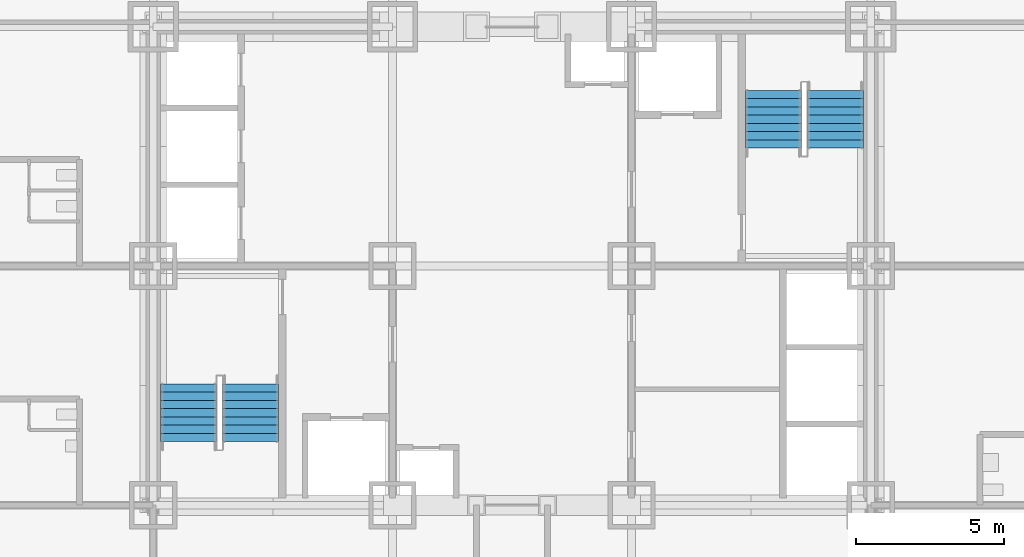
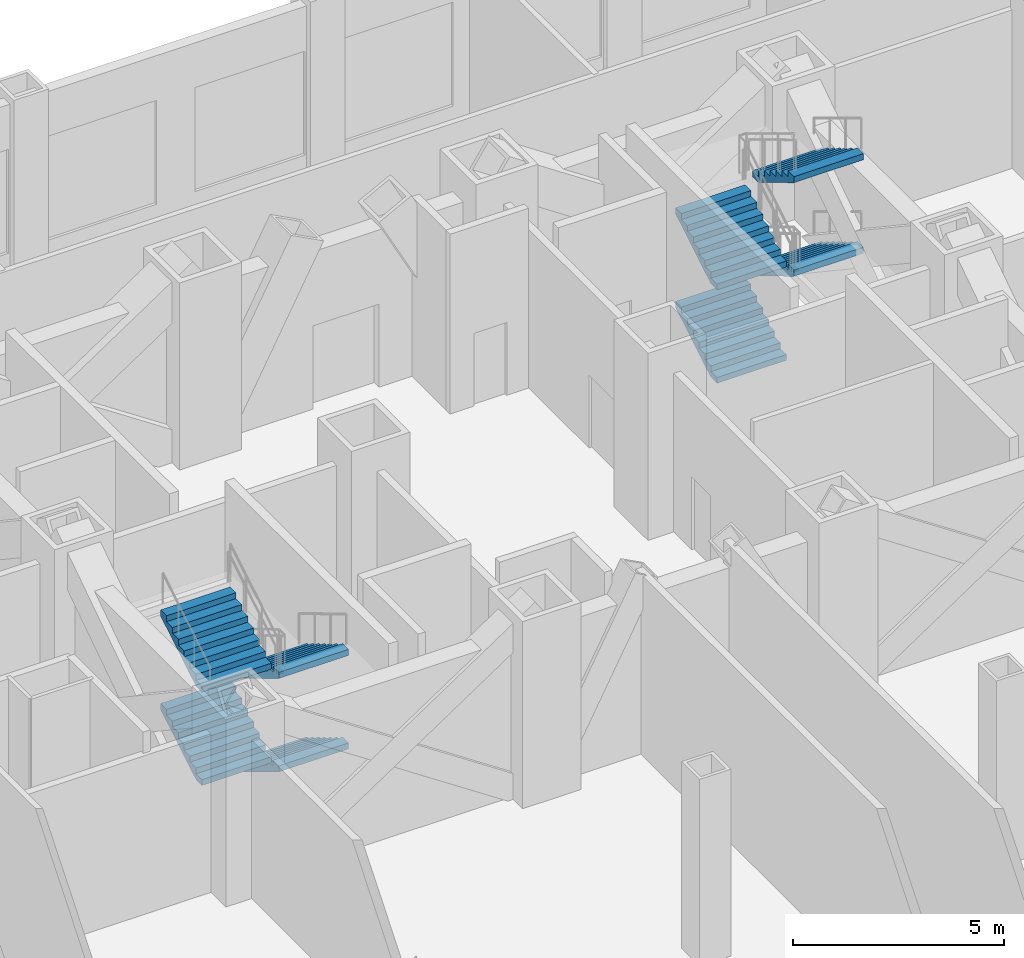
# One storey, part 8 of 10: 8 stair flights, 2 elements without a shape of their own.
"""IFC4 building model written with IfcOpenShell, lengths in metres."""

from ifc_helpers import new_model, si_unit, direction, frame, origin, place, context, subcontext, project, spatial, polygons, source, transform, mapped, material, type_object, element, aggregate, save


model = new_model("IFC4")

# Units and contexts
model_context = context("Model", 3, precision=1e-05, world=origin(), true_north=direction((0.0, 1.0)))
body_context = subcontext(model_context, "Body", "Model", "MODEL_VIEW")
ifc_project = project(units=[si_unit("LENGTHUNIT", "METRE"), si_unit("AREAUNIT", "SQUARE_METRE"), si_unit("VOLUMEUNIT", "CUBIC_METRE"), si_unit("PLANEANGLEUNIT", "RADIAN"), si_unit("MASSUNIT", "GRAM", prefix="KILO")], contexts=[model_context])

# Site, building, storey
site_placement = place(None, origin())
site = spatial("IfcSite", under=ifc_project, at=site_placement, CompositionType="ELEMENT")
building_placement = place(site_placement, origin())
building = spatial("IfcBuilding", under=site, at=building_placement, Name="Kopane Lantern Tower", CompositionType="ELEMENT")
storey_placement = place(building_placement, frame((0.0, 0.0, 27.60009765625)))
storey = spatial("IfcBuildingStorey", under=building, at=storey_placement, Name="L05", CompositionType="ELEMENT", Elevation=27.60009765625)

# Stair, stair flights
ifc_material_1 = material(Name="Steel S355JR", Category="steel")
stair_type = type_object("IfcStairType", Name="EXIT STAIR 1900 HALF TURN", PredefinedType="HALF_TURN_STAIR", material=ifc_material_1)
stair_1_placement = place(storey_placement, origin())
stair_1 = element("IfcStair", 1, at=stair_1_placement, inside=storey, type_object=stair_type, Name="Exit stair ST1 L05", PredefinedType="HALF_TURN_STAIR")
ifc_material_2 = material(Name="Steel S355JR", Category="steel")
stair_flight_type = type_object("IfcStairFlightType", Name="STAIR FLIGHT 1900 STEEL", PredefinedType="STRAIGHT", material=ifc_material_2)
shared_shape = source(origin(), body_context, "Body", "Tessellation", [
    polygons([(1.959960938, 0.949951172, 1.181152344), (1.679931641, 0.949951172, 1.181152344), (1.679931641, -0.949951172, 1.181152344), (1.959960938, -0.949951172, 1.181152344), (0.290527344, 0.949951172, 0.0), (1.959960938, 0.949951172, 1.006347656), (1.959960938, -0.949951172, 1.006347656), (0.290527344, -0.949951172, 0.0), (0.0, 0.949951172, 0.0), (0.0, -0.949951172, 0.0), (0.280029297, 0.949951172, 0.168701172), (0.0, 0.949951172, 0.168701172), (0.0, -0.949951172, 0.168701172), (0.280029297, -0.949951172, 0.168701172), (0.280029297, 0.949951172, 0.337402344), (0.280029297, -0.949951172, 0.337402344), (0.560058594, 0.949951172, 0.337402344), (0.560058594, -0.949951172, 0.337402344), (0.560058594, 0.949951172, 0.506347656), (0.560058594, -0.949951172, 0.506347656), (0.840087891, 0.949951172, 0.506347656), (0.840087891, -0.949951172, 0.506347656), (0.840087891, 0.949951172, 0.675048828), (0.840087891, -0.949951172, 0.675048828), (1.120117188, 0.949951172, 0.675048828), (1.120117188, -0.949951172, 0.675048828), (1.120117188, 0.949951172, 0.84375), (1.120117188, -0.949951172, 0.84375), (1.399902344, 0.949951172, 0.84375), (1.399902344, -0.949951172, 0.84375), (1.399902344, 0.949951172, 1.012451172), (1.399902344, -0.949951172, 1.012451172), (1.679931641, 0.949951172, 1.012451172), (1.679931641, -0.949951172, 1.012451172), (0.0, 0.0, 0.004559491), (0.0, 0.0, 0.009118982), (0.0, 0.0, 0.013678473), (0.0, 0.0, 0.018237965), (0.0, 0.0, 0.022797456), (0.0, 0.0, 0.027356947), (0.0, 0.0, 0.031916438), (0.0, 0.0, 0.036475929), (0.0, 0.0, 0.04103542), (0.0, 0.0, 0.045594911), (0.0, 0.0, 0.050154402), (0.0, 0.0, 0.054713894), (0.0, 0.0, 0.059273385), (0.0, 0.0, 0.063832876), (0.0, 0.0, 0.068392367), (0.0, 0.0, 0.072951858), (0.0, 0.0, 0.077511349), (0.0, 0.0, 0.08207084), (0.0, 0.0, 0.086630332), (0.0, 0.0, 0.091189823), (0.0, 0.0, 0.095749314), (0.0, 0.0, 0.100308805), (0.0, 0.0, 0.104868296), (0.0, 0.0, 0.109427787), (0.0, 0.0, 0.113987278), (0.0, 0.0, 0.118546769), (0.0, 0.0, 0.123106261), (0.0, 0.0, 0.127665752), (0.0, 0.0, 0.132225243), (0.0, 0.0, 0.136784734), (0.0, 0.0, 0.141344225), (0.0, 0.0, 0.145903716), (0.0, 0.0, 0.150463207), (0.0, 0.0, 0.155022698), (0.0, 0.0, 0.15958219), (0.0, 0.0, 0.164141681), (1.959960938, 0.0, 1.011072107), (1.959960938, 0.0, 1.015796558), (1.959960938, 0.0, 1.020521009), (1.959960938, 0.0, 1.02524546), (1.959960938, 0.0, 1.029969911), (1.959960938, 0.0, 1.034694362), (1.959960938, 0.0, 1.039418813), (1.959960938, 0.0, 1.044143264), (1.959960938, 0.0, 1.048867715), (1.959960938, 0.0, 1.053592166), (1.959960938, 0.0, 1.058316617), (1.959960938, 0.0, 1.063041068), (1.959960938, 0.0, 1.067765519), (1.959960938, 0.0, 1.07248997), (1.959960938, 0.0, 1.077214421), (1.959960938, 0.0, 1.081938872), (1.959960938, 0.0, 1.086663323), (1.959960938, 0.0, 1.091387774), (1.959960938, 0.0, 1.096112226), (1.959960938, 0.0, 1.100836677), (1.959960938, 0.0, 1.105561128), (1.959960938, 0.0, 1.110285579), (1.959960938, 0.0, 1.11501003), (1.959960938, 0.0, 1.119734481), (1.959960938, 0.0, 1.124458932), (1.959960938, 0.0, 1.129183383), (1.959960938, 0.0, 1.133907834), (1.959960938, 0.0, 1.138632285), (1.959960938, 0.0, 1.143356736), (1.959960938, 0.0, 1.148081187), (1.959960938, 0.0, 1.152805638), (1.959960938, 0.0, 1.157530089), (1.959960938, 0.0, 1.16225454), (1.959960938, 0.0, 1.166978991), (1.959960938, 0.0, 1.171703442), (1.959960938, 0.0, 1.176427893)], [[[1, 2, 3]], [[1, 3, 4]], [[5, 6, 7]], [[5, 7, 8]], [[9, 5, 8]], [[9, 8, 10]], [[11, 12, 13]], [[11, 13, 14]], [[15, 11, 14]], [[15, 14, 16]], [[17, 15, 16]], [[17, 16, 18]], [[19, 17, 18]], [[19, 18, 20]], [[21, 19, 20]], [[21, 20, 22]], [[23, 21, 22]], [[23, 22, 24]], [[25, 23, 24]], [[25, 24, 26]], [[27, 25, 26]], [[27, 26, 28]], [[29, 27, 28]], [[29, 28, 30]], [[31, 29, 30]], [[31, 30, 32]], [[33, 31, 32]], [[33, 32, 34]], [[2, 33, 34]], [[2, 34, 3]], [[33, 1, 6]], [[29, 33, 6]], [[2, 1, 33]], [[25, 29, 6]], [[31, 33, 29]], [[5, 21, 25]], [[27, 29, 25]], [[17, 21, 5]], [[23, 25, 21]], [[11, 17, 5]], [[19, 21, 17]], [[9, 11, 5]], [[15, 17, 11]], [[12, 11, 9]], [[6, 5, 25]], [[7, 4, 34]], [[7, 34, 30]], [[34, 4, 3]], [[7, 30, 26]], [[30, 34, 32]], [[26, 22, 8]], [[26, 30, 28]], [[8, 22, 18]], [[22, 26, 24]], [[8, 18, 14]], [[18, 22, 20]], [[8, 14, 10]], [[14, 18, 16]], [[10, 14, 13]], [[26, 8, 7]], [[10, 35, 9]], [[10, 36, 35]], [[9, 35, 36]], [[10, 37, 36]], [[9, 36, 37]], [[10, 38, 37]], [[9, 37, 38]], [[10, 39, 38]], [[9, 38, 39]], [[10, 40, 39]], [[9, 39, 40]], [[10, 41, 40]], [[9, 40, 41]], [[10, 42, 41]], [[9, 41, 42]], [[10, 43, 42]], [[9, 42, 43]], [[10, 44, 43]], [[9, 43, 44]], [[10, 45, 44]], [[9, 44, 45]], [[10, 46, 45]], [[9, 45, 46]], [[10, 47, 46]], [[9, 46, 47]], [[10, 48, 47]], [[9, 47, 48]], [[10, 49, 48]], [[9, 48, 49]], [[10, 50, 49]], [[9, 49, 50]], [[10, 51, 50]], [[9, 50, 51]], [[10, 52, 51]], [[9, 51, 52]], [[10, 53, 52]], [[9, 52, 53]], [[10, 54, 53]], [[9, 53, 54]], [[10, 55, 54]], [[9, 54, 55]], [[10, 56, 55]], [[9, 55, 56]], [[10, 57, 56]], [[9, 56, 57]], [[10, 58, 57]], [[9, 57, 58]], [[10, 59, 58]], [[9, 58, 59]], [[10, 60, 59]], [[9, 59, 60]], [[10, 61, 60]], [[9, 60, 61]], [[10, 62, 61]], [[9, 61, 62]], [[10, 63, 62]], [[9, 62, 63]], [[10, 64, 63]], [[9, 63, 64]], [[10, 65, 64]], [[9, 64, 65]], [[10, 66, 65]], [[9, 65, 66]], [[10, 67, 66]], [[9, 66, 67]], [[10, 68, 67]], [[9, 67, 68]], [[10, 69, 68]], [[9, 68, 69]], [[10, 70, 69]], [[9, 69, 70]], [[10, 13, 70]], [[70, 13, 12]], [[9, 70, 12]], [[7, 6, 71]], [[7, 71, 72]], [[6, 72, 71]], [[7, 72, 73]], [[6, 73, 72]], [[7, 73, 74]], [[6, 74, 73]], [[7, 74, 75]], [[6, 75, 74]], [[7, 75, 76]], [[6, 76, 75]], [[7, 76, 77]], [[6, 77, 76]], [[7, 77, 78]], [[6, 78, 77]], [[7, 78, 79]], [[6, 79, 78]], [[7, 79, 80]], [[6, 80, 79]], [[7, 80, 81]], [[6, 81, 80]], [[7, 81, 82]], [[6, 82, 81]], [[7, 82, 83]], [[6, 83, 82]], [[7, 83, 84]], [[6, 84, 83]], [[7, 84, 85]], [[6, 85, 84]], [[7, 85, 86]], [[6, 86, 85]], [[7, 86, 87]], [[6, 87, 86]], [[7, 87, 88]], [[6, 88, 87]], [[7, 88, 89]], [[6, 89, 88]], [[7, 89, 90]], [[6, 90, 89]], [[7, 90, 91]], [[6, 91, 90]], [[7, 91, 92]], [[6, 92, 91]], [[7, 92, 93]], [[6, 93, 92]], [[7, 93, 94]], [[6, 94, 93]], [[7, 94, 95]], [[6, 95, 94]], [[7, 95, 96]], [[6, 96, 95]], [[7, 96, 97]], [[6, 97, 96]], [[7, 97, 98]], [[6, 98, 97]], [[7, 98, 99]], [[6, 99, 98]], [[7, 99, 100]], [[6, 100, 99]], [[7, 100, 101]], [[6, 101, 100]], [[7, 101, 102]], [[6, 102, 101]], [[7, 102, 103]], [[6, 103, 102]], [[7, 103, 104]], [[6, 104, 103]], [[7, 104, 105]], [[6, 105, 104]], [[7, 105, 106]], [[6, 106, 105]], [[7, 106, 4]], [[106, 1, 4]], [[6, 1, 106]]], closed=True),
])
stair_flight_1_placement = place(storey_placement, frame((19.5, 28.409912109375, 0.0), z_axis=(0.0, 0.0, 1.0), x_axis=(0.0, -1.0, 0.0)))
stair_flight_1 = element("IfcStairFlight", 2, at=stair_flight_1_placement, type_object=stair_flight_type, Name="ST1 flight 1", NumberOfRisers=8, NumberOfTreads=7, PredefinedType="STRAIGHT", RiserHeight=0.16875, TreadLength=0.28, context=body_context, shape_type="MappedRepresentation", body=[
    mapped(shared_shape, transform((0.0, 0.0, 0.0))),
])
stair_flight_2_placement = place(storey_placement, frame((17.39990234375, 26.449951171875, 1.349853515625), z_axis=(0.0, 0.0, 1.0), x_axis=(0.0, 1.0, 0.0)))
stair_flight_2 = element("IfcStairFlight", 3, at=stair_flight_2_placement, type_object=stair_flight_type, Name="ST1 flight 2", NumberOfRisers=8, NumberOfTreads=7, PredefinedType="STRAIGHT", RiserHeight=0.16875, TreadLength=0.28, context=body_context, shape_type="MappedRepresentation", body=[
    mapped(shared_shape, transform((0.0, 0.0, 0.0))),
])
stair_flight_3_placement = place(storey_placement, frame((19.5, 28.409912109375, 2.699951171875), z_axis=(0.0, 0.0, 1.0), x_axis=(0.0, -1.0, 0.0)))
stair_flight_3 = element("IfcStairFlight", 4, at=stair_flight_3_placement, type_object=stair_flight_type, Name="ST1 flight 3", NumberOfRisers=8, NumberOfTreads=7, PredefinedType="STRAIGHT", RiserHeight=0.16875, TreadLength=0.28, context=body_context, shape_type="MappedRepresentation", body=[
    mapped(shared_shape, transform((0.0, 0.0, 0.0))),
])
stair_flight_4_placement = place(storey_placement, frame((17.39990234375, 26.449951171875, 4.0498046875), z_axis=(0.0, 0.0, 1.0), x_axis=(0.0, 1.0, 0.0)))
stair_flight_4 = element("IfcStairFlight", 5, at=stair_flight_4_placement, type_object=stair_flight_type, Name="ST1 flight 4", NumberOfRisers=8, NumberOfTreads=7, PredefinedType="STRAIGHT", RiserHeight=0.16875, TreadLength=0.28, context=body_context, shape_type="MappedRepresentation", body=[
    mapped(shared_shape, transform((0.0, 0.0, 0.0))),
])
aggregate(stair_1, [stair_flight_1, stair_flight_2, stair_flight_3, stair_flight_4])

stair_2_placement = place(storey_placement, origin())
stair_2 = element("IfcStair", 6, at=stair_2_placement, inside=storey, type_object=stair_type, Name="Exit stair ST2 L05", PredefinedType="HALF_TURN_STAIR")
stair_flight_5_placement = place(storey_placement, frame((37.199951171875, 36.389892578125, 0.0), z_axis=(0.0, 0.0, 1.0), x_axis=(0.0, 1.0, 0.0)))
stair_flight_5 = element("IfcStairFlight", 7, at=stair_flight_5_placement, type_object=stair_flight_type, Name="ST2 flight 1", NumberOfRisers=8, NumberOfTreads=7, PredefinedType="STRAIGHT", RiserHeight=0.16875, TreadLength=0.28, context=body_context, shape_type="MappedRepresentation", body=[
    mapped(shared_shape, transform((0.0, 0.0, 0.0))),
])
stair_flight_6_placement = place(storey_placement, frame((39.300048828125, 38.35009765625, 1.349853515625), z_axis=(0.0, 0.0, 1.0), x_axis=(0.0, -1.0, 0.0)))
stair_flight_6 = element("IfcStairFlight", 8, at=stair_flight_6_placement, type_object=stair_flight_type, Name="ST2 flight 2", NumberOfRisers=8, NumberOfTreads=7, PredefinedType="STRAIGHT", RiserHeight=0.16875, TreadLength=0.28, context=body_context, shape_type="MappedRepresentation", body=[
    mapped(shared_shape, transform((0.0, 0.0, 0.0))),
])
stair_flight_7_placement = place(storey_placement, frame((37.199951171875, 36.389892578125, 2.699951171875), z_axis=(0.0, 0.0, 1.0), x_axis=(0.0, 1.0, 0.0)))
stair_flight_7 = element("IfcStairFlight", 9, at=stair_flight_7_placement, type_object=stair_flight_type, Name="ST2 flight 3", NumberOfRisers=8, NumberOfTreads=7, PredefinedType="STRAIGHT", RiserHeight=0.16875, TreadLength=0.28, context=body_context, shape_type="MappedRepresentation", body=[
    mapped(shared_shape, transform((0.0, 0.0, 0.0))),
])
stair_flight_8_placement = place(storey_placement, frame((39.300048828125, 38.35009765625, 4.0498046875), z_axis=(0.0, 0.0, 1.0), x_axis=(0.0, -1.0, 0.0)))
stair_flight_8 = element("IfcStairFlight", 10, at=stair_flight_8_placement, type_object=stair_flight_type, Name="ST2 flight 4", NumberOfRisers=8, NumberOfTreads=7, PredefinedType="STRAIGHT", RiserHeight=0.16875, TreadLength=0.28, context=body_context, shape_type="MappedRepresentation", body=[
    mapped(shared_shape, transform((0.0, 0.0, 0.0))),
])
aggregate(stair_2, [stair_flight_5, stair_flight_6, stair_flight_7, stair_flight_8])

save(model, "model.ifc")
